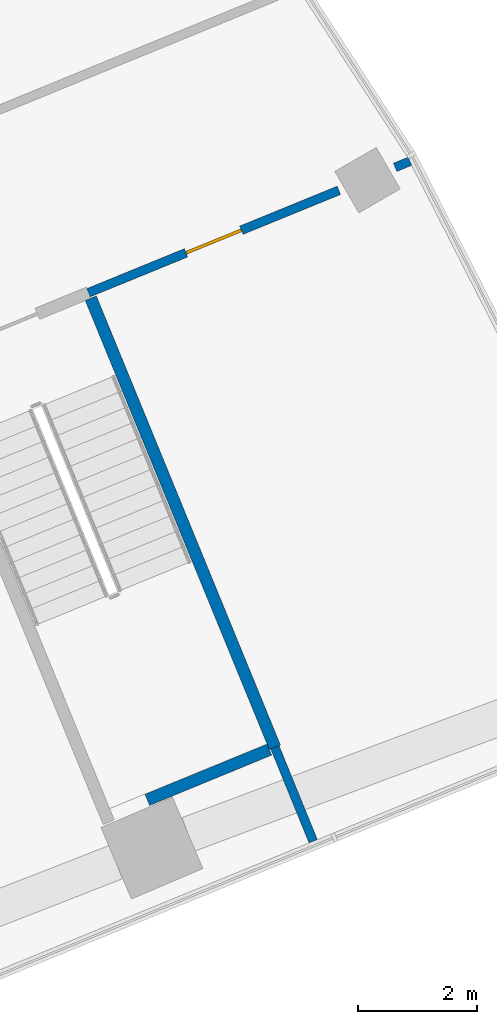
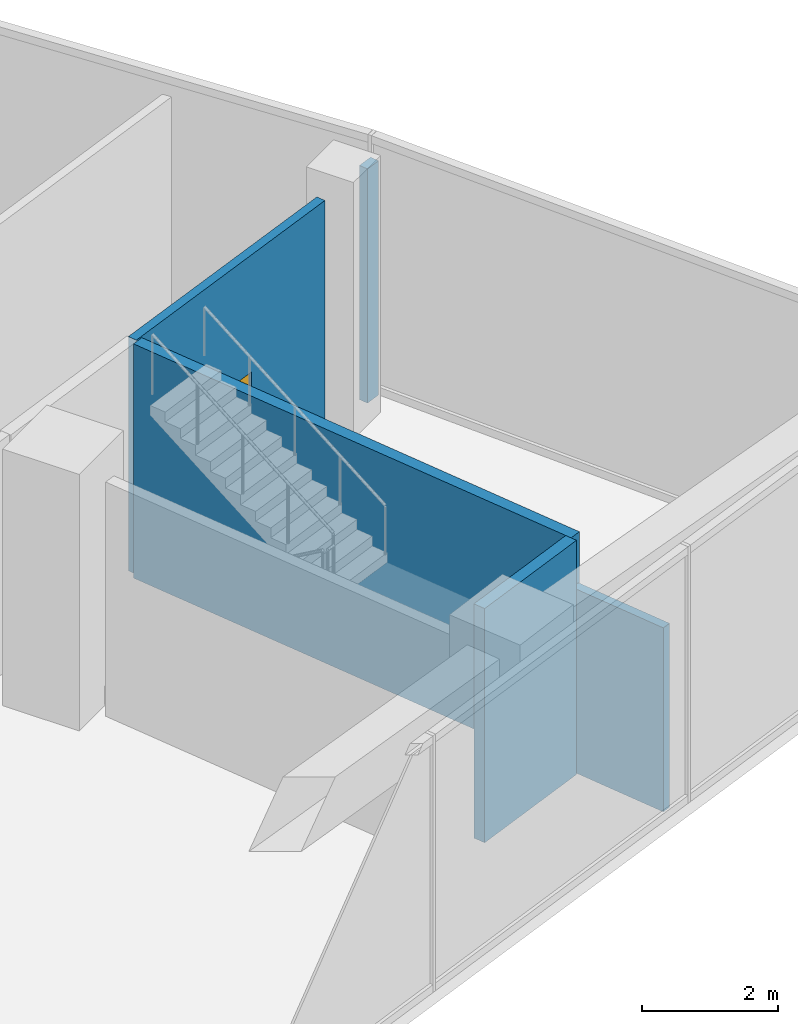
# One storey, part 29 of 39: 5 walls, 1 door, 1 opening.
"""IFC4 building model written with IfcOpenShell, lengths in metres."""

from ifc_helpers import new_model, si_unit, direction, frame, frame_2d, origin, place, context, subcontext, project, spatial, rectangle, extrude, material, layer, layer_set, type_object, element, fill, save


model = new_model("IFC4")

# Units and contexts
model_context = context("Model", 3, precision=1e-05, world=origin(), true_north=direction((0.0, 1.0)))
body_context = subcontext(model_context, "Body", "Model", "MODEL_VIEW")
ifc_project = project(units=[si_unit("LENGTHUNIT", "METRE"), si_unit("AREAUNIT", "SQUARE_METRE"), si_unit("VOLUMEUNIT", "CUBIC_METRE"), si_unit("PLANEANGLEUNIT", "RADIAN"), si_unit("MASSUNIT", "GRAM", prefix="KILO")], contexts=[model_context])

# Site, building, storey
site_placement = place(None, origin())
site = spatial("IfcSite", under=ifc_project, at=site_placement, CompositionType="ELEMENT")
building_placement = place(site_placement, origin())
building = spatial("IfcBuilding", under=site, at=building_placement, Name="Stone Belt Terrace Tower", CompositionType="ELEMENT")
storey_placement = place(building_placement, frame((0.0, 0.0, 16.199951171875)))
storey = spatial("IfcBuildingStorey", under=building, at=storey_placement, Name="L03", CompositionType="ELEMENT", Elevation=16.199951171875)

# Wall, opening, door
ifc_material_1 = material(Name="Gypsum board on steel stud partition", Category="steel")
ifc_layer_1 = layer(ifc_material_1, 0.14990234375)
ifc_layer_set_1 = layer_set([ifc_layer_1], Name="Podium partition 150")
wall_type_1 = type_object("IfcWallType", Name="Podium partition 150", PredefinedType="PARTITIONING", material=ifc_layer_set_1)
wall_1_placement = place(storey_placement, frame((59.18017578125, 34.97998046875, 0.0), z_axis=(0.0, 0.0, 1.0), x_axis=(0.925603654014, 0.378494221458, 0.0)))
wall_1 = element("IfcWall", 1, at=wall_1_placement, inside=storey, type_object=wall_type_1, Name="Podium partition 150", PredefinedType="PARTITIONING", context=body_context, shape_type="SweptSolid", body=[
    extrude(rectangle(XDim=4.526123046875, YDim=0.14990234375, at=frame_2d((2.26318359375, 0.0))), origin(), (0.0, 0.0, 1.0), 4.199951171875),
])
opening_placement = place(wall_1_placement, frame((1.76318359375, 0.0, 0.0)))
opening = element("IfcOpeningElement", 2, at=opening_placement, cuts=wall_1, Name="Opening L03-P24", PredefinedType="OPENING", context=body_context, shape_type="SweptSolid", body=[
    extrude(rectangle(XDim=1.0, YDim=2.10009765625, at=frame_2d((0.5, 1.050048828125))), frame((0.0, 0.0849609375, 0.0), z_axis=(0.0, -1.0, 0.0), x_axis=(1.0, 0.0, 0.0)), (0.0, 0.0, 1.0), 0.169921875),
])
ifc_material_2 = material(Name="Steel framed door leaf", Category="steel")
door_type = type_object("IfcDoorType", Name="Podium door single 1000", OperationType="SINGLE_SWING_LEFT", PredefinedType="DOOR", material=ifc_material_2)
door_placement = place(opening_placement, origin())
door = element("IfcDoor", 3, at=door_placement, inside=storey, type_object=door_type, Name="Podium door single 1000", OperationType="SINGLE_SWING_RIGHT", OverallHeight=2.10009765625, OverallWidth=1.0, PredefinedType="DOOR", context=body_context, shape_type="SweptSolid", body=[
    extrude(rectangle(XDim=1.0, YDim=2.10009765625, at=frame_2d((0.5, 1.050048828125))), frame((0.0, 0.02490234375, 0.0), z_axis=(0.0, -1.0, 0.0), x_axis=(1.0, 0.0, 0.0)), (0.0, 0.0, 1.0), 0.050048828125),
])
fill(opening, door)

# Walls
wall_2_placement = place(storey_placement, frame((64.312744140625, 37.078857421875, 0.0), z_axis=(0.0, 0.0, 1.0), x_axis=(0.92567790555, 0.378312589238, 0.0)))
element("IfcWall", 4, at=wall_2_placement, inside=storey, type_object=wall_type_1, Name="Podium partition 150", PredefinedType="PARTITIONING", context=body_context, shape_type="SweptSolid", body=[
    extrude(rectangle(XDim=0.26708984375, YDim=0.14990234375, at=frame_2d((0.133544921875, 0.0))), origin(), (0.0, 0.0, 1.0), 4.199951171875),
])
wall_3_placement = place(storey_placement, frame((62.300048828125, 27.369873046875, 0.0), z_axis=(0.0, 0.0, 1.0), x_axis=(0.377466142262, -0.926023386015, 0.0)))
element("IfcWall", 5, at=wall_3_placement, inside=storey, type_object=wall_type_1, Name="Podium partition 150", PredefinedType="PARTITIONING", context=body_context, shape_type="SweptSolid", body=[
    extrude(rectangle(XDim=1.6953125, YDim=0.14990234375, at=frame_2d((0.84765625, 0.0))), origin(), (0.0, 0.0, 1.0), 3.300048828125),
])
ifc_material_3 = material(Name="Concrete B30", Category="concrete")
ifc_layer_2 = layer(ifc_material_3, 0.199951171875)
ifc_layer_set_2 = layer_set([ifc_layer_2], Name="Podium stair and shaft wall 200")
wall_type_2 = type_object("IfcWallType", Name="Podium stair and shaft wall 200", PredefinedType="SOLIDWALL", material=ifc_layer_set_2)
wall_4_placement = place(storey_placement, frame((59.218017578125, 34.887451171875, 0.0), z_axis=(0.0, 0.0, 1.0), x_axis=(0.379345306329, -0.925255174839, 0.0)))
element("IfcWall", 6, at=wall_4_placement, inside=storey, type_object=wall_type_2, Name="Podium stair and shaft wall 200", PredefinedType="SOLIDWALL", context=body_context, shape_type="SweptSolid", body=[
    extrude(rectangle(XDim=8.12451171875, YDim=0.199951171875, at=frame_2d((4.062255859375, 0.0))), origin(), (0.0, 0.0, 1.0), 4.199951171875),
])
wall_5_placement = place(storey_placement, frame((60.163818359375, 26.4912109375, 0.0), z_axis=(0.0, 0.0, 1.0), x_axis=(0.924790168115, 0.380477522278, 0.0)))
element("IfcWall", 7, at=wall_5_placement, inside=storey, type_object=wall_type_2, Name="Podium stair and shaft wall 200", PredefinedType="SOLIDWALL", context=body_context, shape_type="SweptSolid", body=[
    extrude(rectangle(XDim=2.2099609375, YDim=0.199951171875, at=frame_2d((1.10498046875, 0.0))), origin(), (0.0, 0.0, 1.0), 4.199951171875),
])

save(model, "model.ifc")
